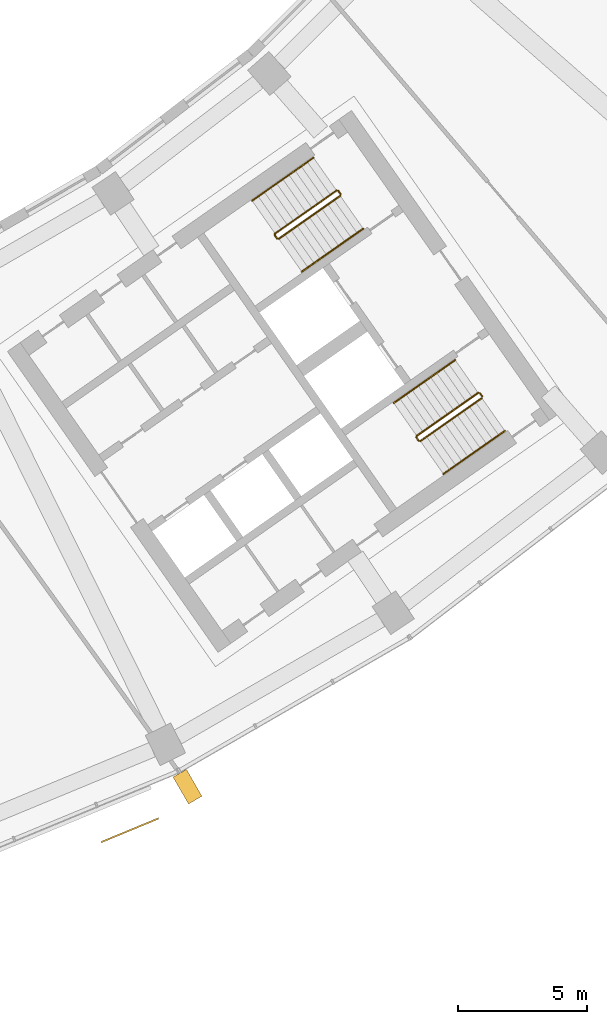
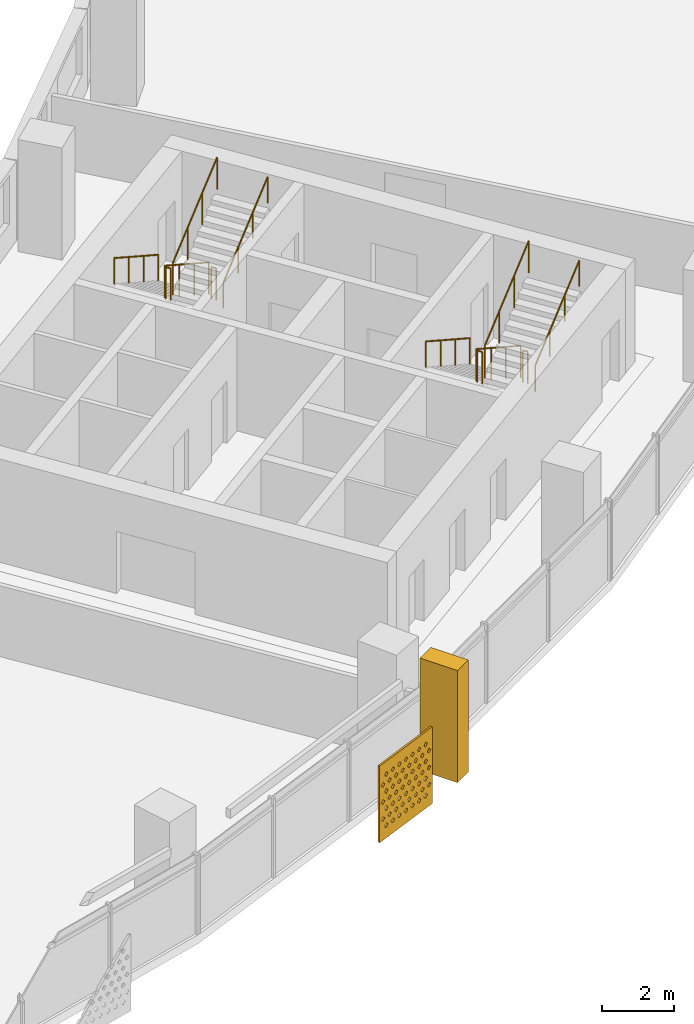
# One storey, part 25 of 26: 10 railings, 2 shading devices.
"""IFC4 building model written with IfcOpenShell, lengths in metres."""

from ifc_helpers import new_model, si_unit, direction, frame, origin, origin_2d, place, context, subcontext, project, spatial, polyline, circle, outline, extrude, material, material_profile, profile_set, type_object, element, save


model = new_model("IFC4")

# Units and contexts
model_context = context("Model", 3, precision=1e-05, world=origin(), true_north=direction((0.0, 1.0)))
body_context = subcontext(model_context, "Body", "Model", "MODEL_VIEW")
ifc_project = project(units=[si_unit("LENGTHUNIT", "METRE"), si_unit("AREAUNIT", "SQUARE_METRE"), si_unit("VOLUMEUNIT", "CUBIC_METRE"), si_unit("PLANEANGLEUNIT", "RADIAN"), si_unit("MASSUNIT", "GRAM", prefix="KILO")], contexts=[model_context])

# Site, building, storey
site_placement = place(None, origin())
site = spatial("IfcSite", under=ifc_project, at=site_placement, CompositionType="ELEMENT")
building_placement = place(site_placement, origin())
building = spatial("IfcBuilding", under=site, at=building_placement, Name="Qamariyya Broadcast Tower", CompositionType="ELEMENT")
storey_placement = place(building_placement, frame((0.0, 0.0, 160.699951171875)))
storey = spatial("IfcBuildingStorey", under=building, at=storey_placement, Name="L37", CompositionType="ELEMENT", Elevation=160.699951171875)

# Shading devices
ifc_material_1 = material(Name="Steel S355 powder coated deep red", Category="steel")
shading_device_type_1 = type_object("IfcShadingDeviceType", Name="Deep red frame, powder coated steel box section", PredefinedType="USERDEFINED", material=ifc_material_1)
shading_device_1_placement = place(storey_placement, origin())
element("IfcShadingDevice", 1, at=shading_device_1_placement, inside=storey, type_object=shading_device_type_1, Name="e-frm-B3-F4-posta-L37", ObjectType="FRAME", PredefinedType="USERDEFINED", context=body_context, shape_type="SweptSolid", body=[
    extrude(outline(polyline([(34.680908203125, -71.0029296875), (35.281005859375, -72.042236328125), (35.800537109375, -71.7421875), (35.20068359375, -70.702880859375), (34.680908203125, -71.0029296875)])), origin(), (0.0, 0.0, 1.0), 3.800048828125),
])
ifc_material_2 = material(Name="Perforated glazed terracotta", Category="masonry")
ifc_material_profile = material_profile(ifc_material_2, outline(polyline([(-1.199951171875, -1.300048828125), (1.199951171875, -1.300048828125), (1.199951171875, 1.300048828125), (-1.199951171875, 1.300048828125), (-1.199951171875, -1.300048828125)]), holes=[polyline([(-0.81494140625, -0.86669921875), (-0.89990234375, -0.78173828125), (-0.985107421875, -0.86669921875), (-0.89990234375, -0.95166015625), (-0.81494140625, -0.86669921875)]), polyline([(-0.514892578125, -0.86669921875), (-0.60009765625, -0.78173828125), (-0.68505859375, -0.86669921875), (-0.60009765625, -0.95166015625), (-0.514892578125, -0.86669921875)]), polyline([(-0.215087890625, -0.86669921875), (-0.300048828125, -0.78173828125), (-0.385009765625, -0.86669921875), (-0.300048828125, -0.95166015625), (-0.215087890625, -0.86669921875)]), polyline([(0.0849609375, -0.86669921875), (0.0, -0.78173828125), (-0.0849609375, -0.86669921875), (0.0, -0.95166015625), (0.0849609375, -0.86669921875)]), polyline([(0.385009765625, -0.86669921875), (0.300048828125, -0.78173828125), (0.215087890625, -0.86669921875), (0.300048828125, -0.95166015625), (0.385009765625, -0.86669921875)]), polyline([(0.68505859375, -0.86669921875), (0.60009765625, -0.78173828125), (0.514892578125, -0.86669921875), (0.60009765625, -0.95166015625), (0.68505859375, -0.86669921875)]), polyline([(0.985107421875, -0.86669921875), (0.89990234375, -0.78173828125), (0.81494140625, -0.86669921875), (0.89990234375, -0.95166015625), (0.985107421875, -0.86669921875)]), polyline([(-0.965087890625, -0.577880859375), (-1.050048828125, -0.49267578125), (-1.135009765625, -0.577880859375), (-1.050048828125, -0.662841796875), (-0.965087890625, -0.577880859375)]), polyline([(-0.6650390625, -0.577880859375), (-0.75, -0.49267578125), (-0.8349609375, -0.577880859375), (-0.75, -0.662841796875), (-0.6650390625, -0.577880859375)]), polyline([(-0.364990234375, -0.577880859375), (-0.449951171875, -0.49267578125), (-0.534912109375, -0.577880859375), (-0.449951171875, -0.662841796875), (-0.364990234375, -0.577880859375)]), polyline([(-0.06494140625, -0.577880859375), (-0.14990234375, -0.49267578125), (-0.235107421875, -0.577880859375), (-0.14990234375, -0.662841796875), (-0.06494140625, -0.577880859375)]), polyline([(0.235107421875, -0.577880859375), (0.14990234375, -0.49267578125), (0.06494140625, -0.577880859375), (0.14990234375, -0.662841796875), (0.235107421875, -0.577880859375)]), polyline([(0.534912109375, -0.577880859375), (0.449951171875, -0.49267578125), (0.364990234375, -0.577880859375), (0.449951171875, -0.662841796875), (0.534912109375, -0.577880859375)]), polyline([(0.8349609375, -0.577880859375), (0.75, -0.49267578125), (0.6650390625, -0.577880859375), (0.75, -0.662841796875), (0.8349609375, -0.577880859375)]), polyline([(1.135009765625, -0.577880859375), (1.050048828125, -0.49267578125), (0.965087890625, -0.577880859375), (1.050048828125, -0.662841796875), (1.135009765625, -0.577880859375)]), polyline([(-0.81494140625, -0.288818359375), (-0.89990234375, -0.203857421875), (-0.985107421875, -0.288818359375), (-0.89990234375, -0.373779296875), (-0.81494140625, -0.288818359375)]), polyline([(-0.514892578125, -0.288818359375), (-0.60009765625, -0.203857421875), (-0.68505859375, -0.288818359375), (-0.60009765625, -0.373779296875), (-0.514892578125, -0.288818359375)]), polyline([(-0.215087890625, -0.288818359375), (-0.300048828125, -0.203857421875), (-0.385009765625, -0.288818359375), (-0.300048828125, -0.373779296875), (-0.215087890625, -0.288818359375)]), polyline([(0.0849609375, -0.288818359375), (0.0, -0.203857421875), (-0.0849609375, -0.288818359375), (0.0, -0.373779296875), (0.0849609375, -0.288818359375)]), polyline([(0.385009765625, -0.288818359375), (0.300048828125, -0.203857421875), (0.215087890625, -0.288818359375), (0.300048828125, -0.373779296875), (0.385009765625, -0.288818359375)]), polyline([(0.68505859375, -0.288818359375), (0.60009765625, -0.203857421875), (0.514892578125, -0.288818359375), (0.60009765625, -0.373779296875), (0.68505859375, -0.288818359375)]), polyline([(0.985107421875, -0.288818359375), (0.89990234375, -0.203857421875), (0.81494140625, -0.288818359375), (0.89990234375, -0.373779296875), (0.985107421875, -0.288818359375)]), polyline([(-0.965087890625, 0.0), (-1.050048828125, 0.0849609375), (-1.135009765625, 0.0), (-1.050048828125, -0.0849609375), (-0.965087890625, 0.0)]), polyline([(-0.6650390625, 0.0), (-0.75, 0.0849609375), (-0.8349609375, 0.0), (-0.75, -0.0849609375), (-0.6650390625, 0.0)]), polyline([(-0.364990234375, 0.0), (-0.449951171875, 0.0849609375), (-0.534912109375, 0.0), (-0.449951171875, -0.0849609375), (-0.364990234375, 0.0)]), polyline([(-0.06494140625, 0.0), (-0.14990234375, 0.0849609375), (-0.235107421875, 0.0), (-0.14990234375, -0.0849609375), (-0.06494140625, 0.0)]), polyline([(0.235107421875, 0.0), (0.14990234375, 0.0849609375), (0.06494140625, 0.0), (0.14990234375, -0.0849609375), (0.235107421875, 0.0)]), polyline([(0.534912109375, 0.0), (0.449951171875, 0.0849609375), (0.364990234375, 0.0), (0.449951171875, -0.0849609375), (0.534912109375, 0.0)]), polyline([(0.8349609375, 0.0), (0.75, 0.0849609375), (0.6650390625, 0.0), (0.75, -0.0849609375), (0.8349609375, 0.0)]), polyline([(1.135009765625, 0.0), (1.050048828125, 0.0849609375), (0.965087890625, 0.0), (1.050048828125, -0.0849609375), (1.135009765625, 0.0)]), polyline([(-0.81494140625, 0.288818359375), (-0.89990234375, 0.373779296875), (-0.985107421875, 0.288818359375), (-0.89990234375, 0.203857421875), (-0.81494140625, 0.288818359375)]), polyline([(-0.514892578125, 0.288818359375), (-0.60009765625, 0.373779296875), (-0.68505859375, 0.288818359375), (-0.60009765625, 0.203857421875), (-0.514892578125, 0.288818359375)]), polyline([(-0.215087890625, 0.288818359375), (-0.300048828125, 0.373779296875), (-0.385009765625, 0.288818359375), (-0.300048828125, 0.203857421875), (-0.215087890625, 0.288818359375)]), polyline([(0.0849609375, 0.288818359375), (0.0, 0.373779296875), (-0.0849609375, 0.288818359375), (0.0, 0.203857421875), (0.0849609375, 0.288818359375)]), polyline([(0.385009765625, 0.288818359375), (0.300048828125, 0.373779296875), (0.215087890625, 0.288818359375), (0.300048828125, 0.203857421875), (0.385009765625, 0.288818359375)]), polyline([(0.68505859375, 0.288818359375), (0.60009765625, 0.373779296875), (0.514892578125, 0.288818359375), (0.60009765625, 0.203857421875), (0.68505859375, 0.288818359375)]), polyline([(0.985107421875, 0.288818359375), (0.89990234375, 0.373779296875), (0.81494140625, 0.288818359375), (0.89990234375, 0.203857421875), (0.985107421875, 0.288818359375)]), polyline([(-0.965087890625, 0.577880859375), (-1.050048828125, 0.662841796875), (-1.135009765625, 0.577880859375), (-1.050048828125, 0.49267578125), (-0.965087890625, 0.577880859375)]), polyline([(-0.6650390625, 0.577880859375), (-0.75, 0.662841796875), (-0.8349609375, 0.577880859375), (-0.75, 0.49267578125), (-0.6650390625, 0.577880859375)]), polyline([(-0.364990234375, 0.577880859375), (-0.449951171875, 0.662841796875), (-0.534912109375, 0.577880859375), (-0.449951171875, 0.49267578125), (-0.364990234375, 0.577880859375)]), polyline([(-0.06494140625, 0.577880859375), (-0.14990234375, 0.662841796875), (-0.235107421875, 0.577880859375), (-0.14990234375, 0.49267578125), (-0.06494140625, 0.577880859375)]), polyline([(0.235107421875, 0.577880859375), (0.14990234375, 0.662841796875), (0.06494140625, 0.577880859375), (0.14990234375, 0.49267578125), (0.235107421875, 0.577880859375)]), polyline([(0.534912109375, 0.577880859375), (0.449951171875, 0.662841796875), (0.364990234375, 0.577880859375), (0.449951171875, 0.49267578125), (0.534912109375, 0.577880859375)]), polyline([(0.8349609375, 0.577880859375), (0.75, 0.662841796875), (0.6650390625, 0.577880859375), (0.75, 0.49267578125), (0.8349609375, 0.577880859375)]), polyline([(1.135009765625, 0.577880859375), (1.050048828125, 0.662841796875), (0.965087890625, 0.577880859375), (1.050048828125, 0.49267578125), (1.135009765625, 0.577880859375)]), polyline([(-0.81494140625, 0.86669921875), (-0.89990234375, 0.95166015625), (-0.985107421875, 0.86669921875), (-0.89990234375, 0.78173828125), (-0.81494140625, 0.86669921875)]), polyline([(-0.514892578125, 0.86669921875), (-0.60009765625, 0.95166015625), (-0.68505859375, 0.86669921875), (-0.60009765625, 0.78173828125), (-0.514892578125, 0.86669921875)]), polyline([(-0.215087890625, 0.86669921875), (-0.300048828125, 0.95166015625), (-0.385009765625, 0.86669921875), (-0.300048828125, 0.78173828125), (-0.215087890625, 0.86669921875)]), polyline([(0.0849609375, 0.86669921875), (0.0, 0.95166015625), (-0.0849609375, 0.86669921875), (0.0, 0.78173828125), (0.0849609375, 0.86669921875)]), polyline([(0.385009765625, 0.86669921875), (0.300048828125, 0.95166015625), (0.215087890625, 0.86669921875), (0.300048828125, 0.78173828125), (0.385009765625, 0.86669921875)]), polyline([(0.68505859375, 0.86669921875), (0.60009765625, 0.95166015625), (0.514892578125, 0.86669921875), (0.60009765625, 0.78173828125), (0.68505859375, 0.86669921875)]), polyline([(0.985107421875, 0.86669921875), (0.89990234375, 0.95166015625), (0.81494140625, 0.86669921875), (0.89990234375, 0.78173828125), (0.985107421875, 0.86669921875)])]))
ifc_profile_set = profile_set([ifc_material_profile], Name="Perforated glazed terracotta")
shading_device_type_2 = type_object("IfcShadingDeviceType", Name="Perforated terracotta screen 2400 x 2600", PredefinedType="USERDEFINED", material=ifc_profile_set)
shading_device_2_placement = place(storey_placement, frame((33.00146484375, -73.03076171875, 1.35009765625), z_axis=(0.382591441855, -0.923917630863, 0.0), x_axis=(0.923917630863, 0.382591441855, 0.0)))
element("IfcShadingDevice", 2, at=shading_device_2_placement, inside=storey, type_object=shading_device_type_2, Name="e-scr-L37-10-2", ObjectType="SCREEN", PredefinedType="USERDEFINED", context=body_context, shape_type="SweptSolid", body=[
    extrude(outline(polyline([(-1.199951171875, -1.300048828125), (1.199951171875, -1.300048828125), (1.199951171875, 1.300048828125), (-1.199951171875, 1.300048828125), (-1.199951171875, -1.300048828125)]), holes=[polyline([(-0.81494140625, -0.86669921875), (-0.89990234375, -0.78173828125), (-0.985107421875, -0.86669921875), (-0.89990234375, -0.95166015625), (-0.81494140625, -0.86669921875)]), polyline([(-0.514892578125, -0.86669921875), (-0.60009765625, -0.78173828125), (-0.68505859375, -0.86669921875), (-0.60009765625, -0.95166015625), (-0.514892578125, -0.86669921875)]), polyline([(-0.215087890625, -0.86669921875), (-0.300048828125, -0.78173828125), (-0.385009765625, -0.86669921875), (-0.300048828125, -0.95166015625), (-0.215087890625, -0.86669921875)]), polyline([(0.0849609375, -0.86669921875), (0.0, -0.78173828125), (-0.0849609375, -0.86669921875), (0.0, -0.95166015625), (0.0849609375, -0.86669921875)]), polyline([(0.385009765625, -0.86669921875), (0.300048828125, -0.78173828125), (0.215087890625, -0.86669921875), (0.300048828125, -0.95166015625), (0.385009765625, -0.86669921875)]), polyline([(0.68505859375, -0.86669921875), (0.60009765625, -0.78173828125), (0.514892578125, -0.86669921875), (0.60009765625, -0.95166015625), (0.68505859375, -0.86669921875)]), polyline([(0.985107421875, -0.86669921875), (0.89990234375, -0.78173828125), (0.81494140625, -0.86669921875), (0.89990234375, -0.95166015625), (0.985107421875, -0.86669921875)]), polyline([(-0.965087890625, -0.577880859375), (-1.050048828125, -0.49267578125), (-1.135009765625, -0.577880859375), (-1.050048828125, -0.662841796875), (-0.965087890625, -0.577880859375)]), polyline([(-0.6650390625, -0.577880859375), (-0.75, -0.49267578125), (-0.8349609375, -0.577880859375), (-0.75, -0.662841796875), (-0.6650390625, -0.577880859375)]), polyline([(-0.364990234375, -0.577880859375), (-0.449951171875, -0.49267578125), (-0.534912109375, -0.577880859375), (-0.449951171875, -0.662841796875), (-0.364990234375, -0.577880859375)]), polyline([(-0.06494140625, -0.577880859375), (-0.14990234375, -0.49267578125), (-0.235107421875, -0.577880859375), (-0.14990234375, -0.662841796875), (-0.06494140625, -0.577880859375)]), polyline([(0.235107421875, -0.577880859375), (0.14990234375, -0.49267578125), (0.06494140625, -0.577880859375), (0.14990234375, -0.662841796875), (0.235107421875, -0.577880859375)]), polyline([(0.534912109375, -0.577880859375), (0.449951171875, -0.49267578125), (0.364990234375, -0.577880859375), (0.449951171875, -0.662841796875), (0.534912109375, -0.577880859375)]), polyline([(0.8349609375, -0.577880859375), (0.75, -0.49267578125), (0.6650390625, -0.577880859375), (0.75, -0.662841796875), (0.8349609375, -0.577880859375)]), polyline([(1.135009765625, -0.577880859375), (1.050048828125, -0.49267578125), (0.965087890625, -0.577880859375), (1.050048828125, -0.662841796875), (1.135009765625, -0.577880859375)]), polyline([(-0.81494140625, -0.288818359375), (-0.89990234375, -0.203857421875), (-0.985107421875, -0.288818359375), (-0.89990234375, -0.373779296875), (-0.81494140625, -0.288818359375)]), polyline([(-0.514892578125, -0.288818359375), (-0.60009765625, -0.203857421875), (-0.68505859375, -0.288818359375), (-0.60009765625, -0.373779296875), (-0.514892578125, -0.288818359375)]), polyline([(-0.215087890625, -0.288818359375), (-0.300048828125, -0.203857421875), (-0.385009765625, -0.288818359375), (-0.300048828125, -0.373779296875), (-0.215087890625, -0.288818359375)]), polyline([(0.0849609375, -0.288818359375), (0.0, -0.203857421875), (-0.0849609375, -0.288818359375), (0.0, -0.373779296875), (0.0849609375, -0.288818359375)]), polyline([(0.385009765625, -0.288818359375), (0.300048828125, -0.203857421875), (0.215087890625, -0.288818359375), (0.300048828125, -0.373779296875), (0.385009765625, -0.288818359375)]), polyline([(0.68505859375, -0.288818359375), (0.60009765625, -0.203857421875), (0.514892578125, -0.288818359375), (0.60009765625, -0.373779296875), (0.68505859375, -0.288818359375)]), polyline([(0.985107421875, -0.288818359375), (0.89990234375, -0.203857421875), (0.81494140625, -0.288818359375), (0.89990234375, -0.373779296875), (0.985107421875, -0.288818359375)]), polyline([(-0.965087890625, 0.0), (-1.050048828125, 0.0849609375), (-1.135009765625, 0.0), (-1.050048828125, -0.0849609375), (-0.965087890625, 0.0)]), polyline([(-0.6650390625, 0.0), (-0.75, 0.0849609375), (-0.8349609375, 0.0), (-0.75, -0.0849609375), (-0.6650390625, 0.0)]), polyline([(-0.364990234375, 0.0), (-0.449951171875, 0.0849609375), (-0.534912109375, 0.0), (-0.449951171875, -0.0849609375), (-0.364990234375, 0.0)]), polyline([(-0.06494140625, 0.0), (-0.14990234375, 0.0849609375), (-0.235107421875, 0.0), (-0.14990234375, -0.0849609375), (-0.06494140625, 0.0)]), polyline([(0.235107421875, 0.0), (0.14990234375, 0.0849609375), (0.06494140625, 0.0), (0.14990234375, -0.0849609375), (0.235107421875, 0.0)]), polyline([(0.534912109375, 0.0), (0.449951171875, 0.0849609375), (0.364990234375, 0.0), (0.449951171875, -0.0849609375), (0.534912109375, 0.0)]), polyline([(0.8349609375, 0.0), (0.75, 0.0849609375), (0.6650390625, 0.0), (0.75, -0.0849609375), (0.8349609375, 0.0)]), polyline([(1.135009765625, 0.0), (1.050048828125, 0.0849609375), (0.965087890625, 0.0), (1.050048828125, -0.0849609375), (1.135009765625, 0.0)]), polyline([(-0.81494140625, 0.288818359375), (-0.89990234375, 0.373779296875), (-0.985107421875, 0.288818359375), (-0.89990234375, 0.203857421875), (-0.81494140625, 0.288818359375)]), polyline([(-0.514892578125, 0.288818359375), (-0.60009765625, 0.373779296875), (-0.68505859375, 0.288818359375), (-0.60009765625, 0.203857421875), (-0.514892578125, 0.288818359375)]), polyline([(-0.215087890625, 0.288818359375), (-0.300048828125, 0.373779296875), (-0.385009765625, 0.288818359375), (-0.300048828125, 0.203857421875), (-0.215087890625, 0.288818359375)]), polyline([(0.0849609375, 0.288818359375), (0.0, 0.373779296875), (-0.0849609375, 0.288818359375), (0.0, 0.203857421875), (0.0849609375, 0.288818359375)]), polyline([(0.385009765625, 0.288818359375), (0.300048828125, 0.373779296875), (0.215087890625, 0.288818359375), (0.300048828125, 0.203857421875), (0.385009765625, 0.288818359375)]), polyline([(0.68505859375, 0.288818359375), (0.60009765625, 0.373779296875), (0.514892578125, 0.288818359375), (0.60009765625, 0.203857421875), (0.68505859375, 0.288818359375)]), polyline([(0.985107421875, 0.288818359375), (0.89990234375, 0.373779296875), (0.81494140625, 0.288818359375), (0.89990234375, 0.203857421875), (0.985107421875, 0.288818359375)]), polyline([(-0.965087890625, 0.577880859375), (-1.050048828125, 0.662841796875), (-1.135009765625, 0.577880859375), (-1.050048828125, 0.49267578125), (-0.965087890625, 0.577880859375)]), polyline([(-0.6650390625, 0.577880859375), (-0.75, 0.662841796875), (-0.8349609375, 0.577880859375), (-0.75, 0.49267578125), (-0.6650390625, 0.577880859375)]), polyline([(-0.364990234375, 0.577880859375), (-0.449951171875, 0.662841796875), (-0.534912109375, 0.577880859375), (-0.449951171875, 0.49267578125), (-0.364990234375, 0.577880859375)]), polyline([(-0.06494140625, 0.577880859375), (-0.14990234375, 0.662841796875), (-0.235107421875, 0.577880859375), (-0.14990234375, 0.49267578125), (-0.06494140625, 0.577880859375)]), polyline([(0.235107421875, 0.577880859375), (0.14990234375, 0.662841796875), (0.06494140625, 0.577880859375), (0.14990234375, 0.49267578125), (0.235107421875, 0.577880859375)]), polyline([(0.534912109375, 0.577880859375), (0.449951171875, 0.662841796875), (0.364990234375, 0.577880859375), (0.449951171875, 0.49267578125), (0.534912109375, 0.577880859375)]), polyline([(0.8349609375, 0.577880859375), (0.75, 0.662841796875), (0.6650390625, 0.577880859375), (0.75, 0.49267578125), (0.8349609375, 0.577880859375)]), polyline([(1.135009765625, 0.577880859375), (1.050048828125, 0.662841796875), (0.965087890625, 0.577880859375), (1.050048828125, 0.49267578125), (1.135009765625, 0.577880859375)]), polyline([(-0.81494140625, 0.86669921875), (-0.89990234375, 0.95166015625), (-0.985107421875, 0.86669921875), (-0.89990234375, 0.78173828125), (-0.81494140625, 0.86669921875)]), polyline([(-0.514892578125, 0.86669921875), (-0.60009765625, 0.95166015625), (-0.68505859375, 0.86669921875), (-0.60009765625, 0.78173828125), (-0.514892578125, 0.86669921875)]), polyline([(-0.215087890625, 0.86669921875), (-0.300048828125, 0.95166015625), (-0.385009765625, 0.86669921875), (-0.300048828125, 0.78173828125), (-0.215087890625, 0.86669921875)]), polyline([(0.0849609375, 0.86669921875), (0.0, 0.95166015625), (-0.0849609375, 0.86669921875), (0.0, 0.78173828125), (0.0849609375, 0.86669921875)]), polyline([(0.385009765625, 0.86669921875), (0.300048828125, 0.95166015625), (0.215087890625, 0.86669921875), (0.300048828125, 0.78173828125), (0.385009765625, 0.86669921875)]), polyline([(0.68505859375, 0.86669921875), (0.60009765625, 0.95166015625), (0.514892578125, 0.86669921875), (0.60009765625, 0.78173828125), (0.68505859375, 0.86669921875)]), polyline([(0.985107421875, 0.86669921875), (0.89990234375, 0.95166015625), (0.81494140625, 0.86669921875), (0.89990234375, 0.78173828125), (0.985107421875, 0.86669921875)])]), origin(), (0.0, 0.0, 1.0), 0.06005859375),
])

# Railings
ifc_material_3 = material(Name="Painted steel", Category="steel")
railing_type_1 = type_object("IfcRailingType", Name="Stair guard", PredefinedType="GUARDRAIL", material=ifc_material_3)
railing_1_placement = place(storey_placement, frame((41.003173828125, -48.320068359375, 0.1728515625)))
element("IfcRailing", 3, at=railing_1_placement, inside=storey, type_object=railing_type_1, Name="L37 ST-E2 stair guard 1", PredefinedType="GUARDRAIL", context=body_context, shape_type="SweptSolid", body=[
    extrude(circle(Radius=0.02392578125, at=origin_2d()), frame((0.0, 0.0, 1.076171875), z_axis=(-0.703770094002, -0.492783725636, 0.511734163933), x_axis=(0.573575343427, -0.819152809562, 0.0)), (0.0, 0.0, 1.0), 3.37548828125),
    extrude(circle(Radius=0.02392578125, at=origin_2d()), frame((-2.37548828125, -1.663330078125, 2.80322265625), z_axis=(-0.172799478008, -0.984957024646, 0.0), x_axis=(0.984957024646, -0.172799478008, 0.0)), (0.0, 0.0, 1.0), 0.070556640625),
    extrude(circle(Radius=0.02392578125, at=origin_2d()), frame((-2.3876953125, -1.73291015625, 2.80322265625), z_axis=(0.572588637393, -0.819842821722, 0.0), x_axis=(0.819842821722, 0.572588637393, 0.0)), (0.0, 0.0, 1.0), 0.150146484375),
    extrude(circle(Radius=0.02099609375, at=origin_2d()), origin(), (0.0, 0.0, 1.0), 1.052001953125),
    extrude(circle(Radius=0.02099609375, at=origin_2d()), frame((-0.791748046875, -0.554443359375, 0.57568359375)), (0.0, 0.0, 1.0), 1.052001953125),
    extrude(circle(Radius=0.02099609375, at=origin_2d()), frame((-1.583740234375, -1.10888671875, 1.151611328125)), (0.0, 0.0, 1.0), 1.052001953125),
    extrude(circle(Radius=0.02099609375, at=origin_2d()), frame((-2.37548828125, -1.663330078125, 1.727294921875)), (0.0, 0.0, 1.0), 1.052001953125),
    extrude(circle(Radius=0.02099609375, at=origin_2d()), frame((-2.3876953125, -1.73291015625, 1.727294921875)), (0.0, 0.0, 1.0), 1.052001953125),
    extrude(circle(Radius=0.02099609375, at=origin_2d()), frame((-2.3017578125, -1.85595703125, 1.727294921875)), (0.0, 0.0, 1.0), 1.052001953125),
])
railing_2_placement = place(storey_placement, frame((38.771240234375, -50.188232421875, 2.07275390625)))
element("IfcRailing", 4, at=railing_2_placement, inside=storey, type_object=railing_type_1, Name="L37 ST-E2 stair guard 2", PredefinedType="GUARDRAIL", context=body_context, shape_type="SweptSolid", body=[
    extrude(circle(Radius=0.02392578125, at=origin_2d()), frame((0.0, 0.0, 1.076171875), z_axis=(0.703770094002, 0.492783725636, 0.511734163933), x_axis=(-0.573575343427, 0.819152809562, 0.0)), (0.0, 0.0, 1.0), 3.37548828125),
    extrude(circle(Radius=0.02099609375, at=origin_2d()), origin(), (0.0, 0.0, 1.0), 1.052001953125),
    extrude(circle(Radius=0.02099609375, at=origin_2d()), frame((0.791748046875, 0.554443359375, 0.57568359375)), (0.0, 0.0, 1.0), 1.052001953125),
    extrude(circle(Radius=0.02099609375, at=origin_2d()), frame((1.583740234375, 1.10888671875, 1.151611328125)), (0.0, 0.0, 1.0), 1.052001953125),
    extrude(circle(Radius=0.02099609375, at=origin_2d()), frame((2.37548828125, 1.663330078125, 1.727294921875)), (0.0, 0.0, 1.0), 1.052001953125),
])
railing_3_placement = place(storey_placement, frame((41.072998046875, -48.332275390625, 0.0)))
element("IfcRailing", 5, at=railing_3_placement, inside=storey, type_object=railing_type_1, Name="L37 ST-E2 stair guard 3", PredefinedType="GUARDRAIL", context=body_context, shape_type="SweptSolid", body=[
    extrude(circle(Radius=0.02392578125, at=origin_2d()), frame((0.0, 0.0, 1.076171875), z_axis=(0.572588637393, -0.819842821722, 0.0), x_axis=(0.819842821722, 0.572588637393, 0.0)), (0.0, 0.0, 1.0), 0.150146484375),
    extrude(circle(Radius=0.02099609375, at=origin_2d()), origin(), (0.0, 0.0, 1.0), 1.052001953125),
    extrude(circle(Radius=0.02099609375, at=origin_2d()), frame((0.0859375, -0.123046875, 0.0)), (0.0, 0.0, 1.0), 1.052001953125),
])
railing_4_placement = place(storey_placement, frame((46.48095703125, -56.14306640625, 0.1728515625)))
element("IfcRailing", 6, at=railing_4_placement, inside=storey, type_object=railing_type_1, Name="L37 ST-E1 stair guard 1", PredefinedType="GUARDRAIL", context=body_context, shape_type="SweptSolid", body=[
    extrude(circle(Radius=0.02392578125, at=origin_2d()), frame((0.0, 0.0, 1.076171875), z_axis=(-0.703770094002, -0.492783725636, 0.511734163933), x_axis=(0.573575343427, -0.819152809562, 0.0)), (0.0, 0.0, 1.0), 3.37548828125),
    extrude(circle(Radius=0.02392578125, at=origin_2d()), frame((-2.37548828125, -1.663330078125, 2.80322265625), z_axis=(-0.176149252506, -0.984363469884, 0.0), x_axis=(0.984363469884, -0.176149252506, 0.0)), (0.0, 0.0, 1.0), 0.07080078125),
    extrude(circle(Radius=0.02392578125, at=origin_2d()), frame((-2.387939453125, -1.73291015625, 2.80322265625), z_axis=(0.574444878118, -0.818543268254, 0.0), x_axis=(0.818543268254, 0.574444878118, 0.0)), (0.0, 0.0, 1.0), 0.150146484375),
    extrude(circle(Radius=0.02099609375, at=origin_2d()), origin(), (0.0, 0.0, 1.0), 1.052001953125),
    extrude(circle(Radius=0.02099609375, at=origin_2d()), frame((-0.791748046875, -0.554443359375, 0.57568359375)), (0.0, 0.0, 1.0), 1.052001953125),
    extrude(circle(Radius=0.02099609375, at=origin_2d()), frame((-1.583740234375, -1.10888671875, 1.151611328125)), (0.0, 0.0, 1.0), 1.052001953125),
    extrude(circle(Radius=0.02099609375, at=origin_2d()), frame((-2.37548828125, -1.663330078125, 1.727294921875)), (0.0, 0.0, 1.0), 1.052001953125),
    extrude(circle(Radius=0.02099609375, at=origin_2d()), frame((-2.387939453125, -1.73291015625, 1.727294921875)), (0.0, 0.0, 1.0), 1.052001953125),
    extrude(circle(Radius=0.02099609375, at=origin_2d()), frame((-2.3017578125, -1.855712890625, 1.727294921875)), (0.0, 0.0, 1.0), 1.052001953125),
])
railing_5_placement = place(storey_placement, frame((44.248779296875, -58.01123046875, 2.07275390625)))
element("IfcRailing", 7, at=railing_5_placement, inside=storey, type_object=railing_type_1, Name="L37 ST-E1 stair guard 2", PredefinedType="GUARDRAIL", context=body_context, shape_type="SweptSolid", body=[
    extrude(circle(Radius=0.02392578125, at=origin_2d()), frame((0.0, 0.0, 1.076171875), z_axis=(0.703745009021, 0.492838488332, 0.511715923826), x_axis=(-0.573631830683, 0.819113253969, 0.0)), (0.0, 0.0, 1.0), 3.37548828125),
    extrude(circle(Radius=0.02099609375, at=origin_2d()), origin(), (0.0, 0.0, 1.0), 1.052001953125),
    extrude(circle(Radius=0.02099609375, at=origin_2d()), frame((0.791748046875, 0.554443359375, 0.57568359375)), (0.0, 0.0, 1.0), 1.052001953125),
    extrude(circle(Radius=0.02099609375, at=origin_2d()), frame((1.583740234375, 1.109130859375, 1.151611328125)), (0.0, 0.0, 1.0), 1.052001953125),
    extrude(circle(Radius=0.02099609375, at=origin_2d()), frame((2.37548828125, 1.66357421875, 1.727294921875)), (0.0, 0.0, 1.0), 1.052001953125),
])
railing_6_placement = place(storey_placement, frame((46.550537109375, -56.1552734375, 0.0)))
element("IfcRailing", 8, at=railing_6_placement, inside=storey, type_object=railing_type_1, Name="L37 ST-E1 stair guard 3", PredefinedType="GUARDRAIL", context=body_context, shape_type="SweptSolid", body=[
    extrude(circle(Radius=0.02392578125, at=origin_2d()), frame((0.0, 0.0, 1.076171875), z_axis=(0.574444878118, -0.818543268254, 0.0), x_axis=(0.818543268254, 0.574444878118, 0.0)), (0.0, 0.0, 1.0), 0.150146484375),
    extrude(circle(Radius=0.02099609375, at=origin_2d()), origin(), (0.0, 0.0, 1.0), 1.052001953125),
    extrude(circle(Radius=0.02099609375, at=origin_2d()), frame((0.086181640625, -0.122802734375, 0.0)), (0.0, 0.0, 1.0), 1.052001953125),
])
ifc_material_4 = material(Name="Stainless steel", Category="steel")
railing_type_2 = type_object("IfcRailingType", Name="Stair handrail", PredefinedType="HANDRAIL", material=ifc_material_4)
railing_7_placement = place(storey_placement, frame((40.1142578125, -47.05029296875, 0.1728515625)))
element("IfcRailing", 9, at=railing_7_placement, inside=storey, type_object=railing_type_2, Name="L37 ST-E2 stair handrail 1", PredefinedType="HANDRAIL", context=body_context, shape_type="SweptSolid", body=[
    extrude(circle(Radius=0.02392578125, at=origin_2d()), frame((0.0, 0.0, 0.8759765625), z_axis=(-0.703745009021, -0.492838488332, 0.511715923826), x_axis=(0.573631830683, -0.819113253969, 0.0)), (0.0, 0.0, 1.0), 3.37548828125),
    extrude(circle(Radius=0.02099609375, at=origin_2d()), origin(), (0.0, 0.0, 1.0), 0.851806640625),
    extrude(circle(Radius=0.02099609375, at=origin_2d()), frame((-0.791748046875, -0.554443359375, 0.57568359375)), (0.0, 0.0, 1.0), 0.851806640625),
    extrude(circle(Radius=0.02099609375, at=origin_2d()), frame((-1.583740234375, -1.109130859375, 1.151611328125)), (0.0, 0.0, 1.0), 0.851806640625),
    extrude(circle(Radius=0.02099609375, at=origin_2d()), frame((-2.37548828125, -1.66357421875, 1.727294921875)), (0.0, 0.0, 1.0), 0.851806640625),
])
railing_8_placement = place(storey_placement, frame((39.66015625, -51.4580078125, 2.07275390625)))
element("IfcRailing", 10, at=railing_8_placement, inside=storey, type_object=railing_type_2, Name="L37 ST-E2 stair handrail 2", PredefinedType="HANDRAIL", context=body_context, shape_type="SweptSolid", body=[
    extrude(circle(Radius=0.02392578125, at=origin_2d()), frame((0.0, 0.0, 0.8759765625), z_axis=(0.703745009021, 0.492838488332, 0.511715923826), x_axis=(-0.573631830683, 0.819113253969, 0.0)), (0.0, 0.0, 1.0), 3.37548828125),
    extrude(circle(Radius=0.02099609375, at=origin_2d()), origin(), (0.0, 0.0, 1.0), 0.851806640625),
    extrude(circle(Radius=0.02099609375, at=origin_2d()), frame((0.791748046875, 0.554443359375, 0.57568359375)), (0.0, 0.0, 1.0), 0.851806640625),
    extrude(circle(Radius=0.02099609375, at=origin_2d()), frame((1.583740234375, 1.109130859375, 1.151611328125)), (0.0, 0.0, 1.0), 0.851806640625),
    extrude(circle(Radius=0.02099609375, at=origin_2d()), frame((2.37548828125, 1.66357421875, 1.727294921875)), (0.0, 0.0, 1.0), 0.851806640625),
])
railing_9_placement = place(storey_placement, frame((45.591796875, -54.873291015625, 0.1728515625)))
element("IfcRailing", 11, at=railing_9_placement, inside=storey, type_object=railing_type_2, Name="L37 ST-E1 stair handrail 1", PredefinedType="HANDRAIL", context=body_context, shape_type="SweptSolid", body=[
    extrude(circle(Radius=0.02392578125, at=origin_2d()), frame((0.0, 0.0, 0.8759765625), z_axis=(-0.703770094002, -0.492783725636, 0.511734163933), x_axis=(0.573575343427, -0.819152809562, 0.0)), (0.0, 0.0, 1.0), 3.37548828125),
    extrude(circle(Radius=0.02099609375, at=origin_2d()), origin(), (0.0, 0.0, 1.0), 0.851806640625),
    extrude(circle(Radius=0.02099609375, at=origin_2d()), frame((-0.791748046875, -0.554443359375, 0.57568359375)), (0.0, 0.0, 1.0), 0.851806640625),
    extrude(circle(Radius=0.02099609375, at=origin_2d()), frame((-1.583740234375, -1.10888671875, 1.151611328125)), (0.0, 0.0, 1.0), 0.851806640625),
    extrude(circle(Radius=0.02099609375, at=origin_2d()), frame((-2.37548828125, -1.663330078125, 1.727294921875)), (0.0, 0.0, 1.0), 0.851806640625),
])
railing_10_placement = place(storey_placement, frame((45.137939453125, -59.28076171875, 2.07275390625)))
element("IfcRailing", 12, at=railing_10_placement, inside=storey, type_object=railing_type_2, Name="L37 ST-E1 stair handrail 2", PredefinedType="HANDRAIL", context=body_context, shape_type="SweptSolid", body=[
    extrude(circle(Radius=0.02392578125, at=origin_2d()), frame((0.0, 0.0, 0.8759765625), z_axis=(0.703770094002, 0.492783725636, 0.511734163933), x_axis=(-0.573575343427, 0.819152809562, 0.0)), (0.0, 0.0, 1.0), 3.37548828125),
    extrude(circle(Radius=0.02099609375, at=origin_2d()), origin(), (0.0, 0.0, 1.0), 0.851806640625),
    extrude(circle(Radius=0.02099609375, at=origin_2d()), frame((0.791748046875, 0.554443359375, 0.57568359375)), (0.0, 0.0, 1.0), 0.851806640625),
    extrude(circle(Radius=0.02099609375, at=origin_2d()), frame((1.583740234375, 1.10888671875, 1.151611328125)), (0.0, 0.0, 1.0), 0.851806640625),
    extrude(circle(Radius=0.02099609375, at=origin_2d()), frame((2.37548828125, 1.663330078125, 1.727294921875)), (0.0, 0.0, 1.0), 0.851806640625),
])

save(model, "model.ifc")
